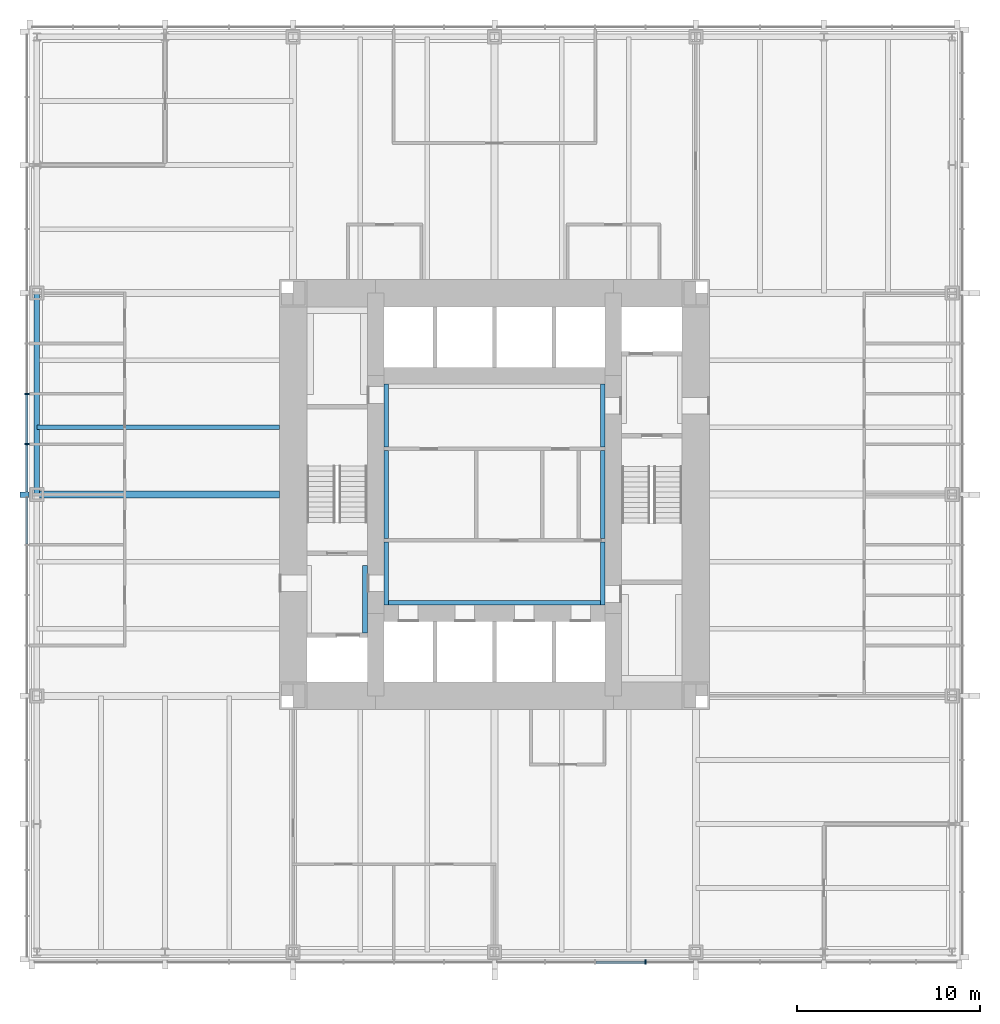
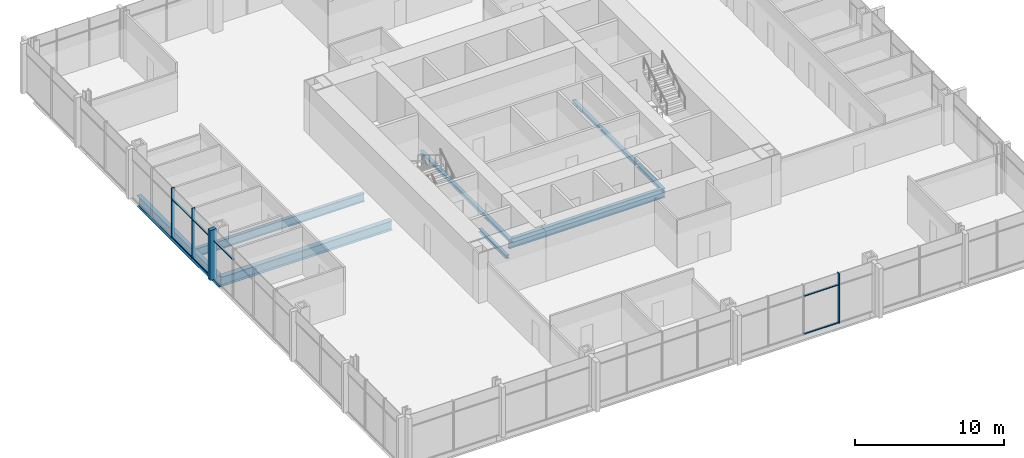
# One storey, part 3 of 13: 11 beams, 11 members, 2 elements without a shape of their own.
"""IFC4 building model written with IfcOpenShell, lengths in metres."""

from ifc_helpers import new_model, si_unit, direction, frame, origin, origin_2d, place, context, subcontext, project, spatial, rectangle, i_section, extrude, material, material_profile, profile_set, type_object, element, aggregate, save


model = new_model("IFC4")

# Units and contexts
model_context = context("Model", 3, precision=1e-05, world=origin(), true_north=direction((0.0, 1.0)))
body_context = subcontext(model_context, "Body", "Model", "MODEL_VIEW")
ifc_project = project(units=[si_unit("LENGTHUNIT", "METRE"), si_unit("AREAUNIT", "SQUARE_METRE"), si_unit("VOLUMEUNIT", "CUBIC_METRE"), si_unit("PLANEANGLEUNIT", "RADIAN"), si_unit("MASSUNIT", "GRAM", prefix="KILO")], contexts=[model_context])

# Site, building, storey
site_placement = place(None, origin())
site = spatial("IfcSite", under=ifc_project, at=site_placement, CompositionType="ELEMENT")
building_placement = place(site_placement, origin())
building = spatial("IfcBuilding", under=site, at=building_placement, Name="Trevanion Tower", CompositionType="ELEMENT")
storey_placement = place(building_placement, frame((0.0, 0.0, 81.60009765625)))
storey = spatial("IfcBuildingStorey", under=building, at=storey_placement, Name="L19", CompositionType="ELEMENT", Elevation=81.60009765625)

# Beam
ifc_material_1 = material(Name="Steel ASTM A992 Grade 50", Category="steel")
ifc_material_profile_1 = material_profile(ifc_material_1, i_section(OverallWidth=0.25390625, OverallDepth=0.700927734375, WebThickness=0.015380859375, FlangeThickness=0.02783203125, at=origin_2d()), Name="W27X129")
ifc_profile_set_1 = profile_set([ifc_material_profile_1], Name="Steel ASTM A992 Grade 50")
beam_type_1 = type_object("IfcBeamType", Name="B3 W27X129", PredefinedType="BEAM", material=ifc_profile_set_1)
beam_1_placement = place(storey_placement, frame((-11.75, 3.666748046875, -0.54052734375), z_axis=(-1.0, 0.0, 0.0), x_axis=(0.0, -1.0, 0.0)))
element("IfcBeam", 1, at=beam_1_placement, inside=storey, type_object=beam_type_1, Name="B3 L19", PredefinedType="BEAM", context=body_context, shape_type="SweptSolid", body=[
    extrude(i_section(OverallWidth=0.25390625, OverallDepth=0.700927734375, WebThickness=0.015380859375, FlangeThickness=0.02783203125, at=origin_2d()), origin(), (0.0, 0.0, 1.0), 13.25),
])

# Curtain wall, members
ifc_material_2 = material(Name="Aluminium and glass", Category="aluminium")
curtain_wall_type = type_object("IfcCurtainWallType", Name="CW1 curtain wall", PredefinedType="USERDEFINED", material=ifc_material_2)
curtain_wall_1_placement = place(storey_placement, origin())
curtain_wall_1 = element("IfcCurtainWall", 2, at=curtain_wall_1_placement, inside=storey, type_object=curtain_wall_type, Name="CW1 L19 2", ObjectType="UNITISED CURTAIN WALL", PredefinedType="USERDEFINED")
ifc_material_3 = material(Name="Aluminium extrusion, anodised bronze", Category="aluminium")
ifc_material_profile_2 = material_profile(ifc_material_3, rectangle(XDim=0.074951171875, YDim=0.25, at=origin_2d()), Name="CW1 mullion")
ifc_profile_set_2 = profile_set([ifc_material_profile_2], Name="Aluminium extrusion, anodised bronze")
member_type_1 = type_object("IfcMemberType", Name="CW1 mullion", PredefinedType="MULLION", material=ifc_profile_set_2)
member_1_placement = place(storey_placement, frame((-25.550048828125, 5.5, -0.190185546875), z_axis=(0.0, 0.0, 1.0), x_axis=(0.0, -1.0, 0.0)))
member_1 = element("IfcMember", 3, at=member_1_placement, type_object=member_type_1, Name="CW1 mullion 7", PredefinedType="MULLION", context=body_context, shape_type="SweptSolid", body=[
    extrude(rectangle(XDim=0.074951171875, YDim=0.25, at=origin_2d()), origin(), (0.0, 0.0, 1.0), 4.10009765625),
])
member_2_placement = place(storey_placement, frame((-25.550048828125, 2.75, -0.190185546875), z_axis=(0.0, 0.0, 1.0), x_axis=(0.0, -1.0, 0.0)))
member_2 = element("IfcMember", 4, at=member_2_placement, type_object=member_type_1, Name="CW1 mullion 8", PredefinedType="MULLION", context=body_context, shape_type="SweptSolid", body=[
    extrude(rectangle(XDim=0.074951171875, YDim=0.25, at=origin_2d()), origin(), (0.0, 0.0, 1.0), 4.10009765625),
])

# Curtain wall, member
curtain_wall_2_placement = place(storey_placement, origin())
curtain_wall_2 = element("IfcCurtainWall", 5, at=curtain_wall_2_placement, inside=storey, type_object=curtain_wall_type, Name="CW1 L19 3", ObjectType="UNITISED CURTAIN WALL", PredefinedType="USERDEFINED")
member_3_placement = place(storey_placement, frame((8.25, -25.550048828125, -0.190185546875), z_axis=(0.0, 0.0, 1.0), x_axis=(1.0, 0.0, 0.0)))
member_3 = element("IfcMember", 6, at=member_3_placement, type_object=member_type_1, Name="CW1 mullion 12", PredefinedType="MULLION", context=body_context, shape_type="SweptSolid", body=[
    extrude(rectangle(XDim=0.074951171875, YDim=0.25, at=origin_2d()), origin(), (0.0, 0.0, 1.0), 4.10009765625),
])

# Member
ifc_material_4 = material(Name="Aluminium extrusion, anodised bronze", Category="aluminium")
ifc_material_profile_3 = material_profile(ifc_material_4, rectangle(XDim=0.300048828125, YDim=0.5, at=origin_2d()), Name="CW1 pier mullion")
ifc_profile_set_3 = profile_set([ifc_material_profile_3], Name="Aluminium extrusion, anodised bronze")
member_type_2 = type_object("IfcMemberType", Name="CW1 pier mullion", PredefinedType="MULLION", material=ifc_profile_set_3)
member_4_placement = place(storey_placement, frame((-25.675048828125, 0.0, -0.190185546875), z_axis=(0.0, 0.0, 1.0), x_axis=(0.0, -1.0, 0.0)))
member_4 = element("IfcMember", 7, at=member_4_placement, type_object=member_type_2, Name="CW1 pier mullion 9", PredefinedType="MULLION", context=body_context, shape_type="SweptSolid", body=[
    extrude(rectangle(XDim=0.300048828125, YDim=0.5, at=origin_2d()), origin(), (0.0, 0.0, 1.0), 4.10009765625),
])

ifc_material_5 = material(Name="Aluminium extrusion, anodised bronze", Category="aluminium")
ifc_material_profile_4 = material_profile(ifc_material_5, rectangle(XDim=0.14990234375, YDim=0.074951171875, at=origin_2d()), Name="CW1 transom")
ifc_profile_set_4 = profile_set([ifc_material_profile_4], Name="Aluminium extrusion, anodised bronze")
member_type_3 = type_object("IfcMemberType", Name="CW1 transom", PredefinedType="USERDEFINED", material=ifc_profile_set_4)
member_5_placement = place(storey_placement, frame((-25.550048828125, 5.46240234375, -0.152587890625), z_axis=(0.0, -1.0, 0.0), x_axis=(1.0, 0.0, 0.0)))
member_5 = element("IfcMember", 8, at=member_5_placement, type_object=member_type_3, Name="CW1 transom 7.1", ObjectType="TRANSOM", PredefinedType="USERDEFINED", context=body_context, shape_type="SweptSolid", body=[
    extrude(rectangle(XDim=0.14990234375, YDim=0.074951171875, at=origin_2d()), origin(), (0.0, 0.0, 1.0), 2.6748046875),
])

member_6_placement = place(storey_placement, frame((-25.550048828125, 5.46240234375, 2.9599609375), z_axis=(0.0, -1.0, 0.0), x_axis=(1.0, 0.0, 0.0)))
member_6 = element("IfcMember", 9, at=member_6_placement, type_object=member_type_3, Name="CW1 transom 7.2", ObjectType="TRANSOM", PredefinedType="USERDEFINED", context=body_context, shape_type="SweptSolid", body=[
    extrude(rectangle(XDim=0.14990234375, YDim=0.074951171875, at=origin_2d()), origin(), (0.0, 0.0, 1.0), 2.6748046875),
])

member_7_placement = place(storey_placement, frame((-25.550048828125, 2.71240234375, -0.152587890625), z_axis=(0.0, -1.0, 0.0), x_axis=(1.0, 0.0, 0.0)))
member_7 = element("IfcMember", 10, at=member_7_placement, type_object=member_type_3, Name="CW1 transom 8.1", ObjectType="TRANSOM", PredefinedType="USERDEFINED", context=body_context, shape_type="SweptSolid", body=[
    extrude(rectangle(XDim=0.14990234375, YDim=0.074951171875, at=origin_2d()), origin(), (0.0, 0.0, 1.0), 2.5625),
])

member_8_placement = place(storey_placement, frame((-25.550048828125, 2.71240234375, 2.9599609375), z_axis=(0.0, -1.0, 0.0), x_axis=(1.0, 0.0, 0.0)))
member_8 = element("IfcMember", 11, at=member_8_placement, type_object=member_type_3, Name="CW1 transom 8.2", ObjectType="TRANSOM", PredefinedType="USERDEFINED", context=body_context, shape_type="SweptSolid", body=[
    extrude(rectangle(XDim=0.14990234375, YDim=0.074951171875, at=origin_2d()), origin(), (0.0, 0.0, 1.0), 2.5625),
])

member_9_placement = place(storey_placement, frame((-25.550048828125, -0.14990234375, 2.9599609375), z_axis=(0.0, -1.0, 0.0), x_axis=(1.0, 0.0, 0.0)))
member_9 = element("IfcMember", 12, at=member_9_placement, type_object=member_type_3, Name="CW1 transom 9.2", ObjectType="TRANSOM", PredefinedType="USERDEFINED", context=body_context, shape_type="SweptSolid", body=[
    extrude(rectangle(XDim=0.14990234375, YDim=0.074951171875, at=origin_2d()), origin(), (0.0, 0.0, 1.0), 2.5625),
])

aggregate(curtain_wall_1, [member_1, member_2, member_4, member_5, member_6, member_7, member_8, member_9])

member_10_placement = place(storey_placement, frame((5.53759765625, -25.550048828125, -0.152587890625), z_axis=(1.0, 0.0, 0.0), x_axis=(0.0, 1.0, 0.0)))
member_10 = element("IfcMember", 13, at=member_10_placement, type_object=member_type_3, Name="CW1 transom 11.1", ObjectType="TRANSOM", PredefinedType="USERDEFINED", context=body_context, shape_type="SweptSolid", body=[
    extrude(rectangle(XDim=0.14990234375, YDim=0.074951171875, at=origin_2d()), origin(), (0.0, 0.0, 1.0), 2.6748046875),
])

member_11_placement = place(storey_placement, frame((5.53759765625, -25.550048828125, 2.9599609375), z_axis=(1.0, 0.0, 0.0), x_axis=(0.0, 1.0, 0.0)))
member_11 = element("IfcMember", 14, at=member_11_placement, type_object=member_type_3, Name="CW1 transom 11.2", ObjectType="TRANSOM", PredefinedType="USERDEFINED", context=body_context, shape_type="SweptSolid", body=[
    extrude(rectangle(XDim=0.14990234375, YDim=0.074951171875, at=origin_2d()), origin(), (0.0, 0.0, 1.0), 2.6748046875),
])

aggregate(curtain_wall_2, [member_3, member_10, member_11])

# Beams
ifc_material_6 = material(Name="Steel ASTM A992 Grade 50", Category="steel")
ifc_material_profile_5 = material_profile(ifc_material_6, i_section(OverallWidth=0.381103515625, OverallDepth=0.77978515625, WebThickness=0.01806640625, FlangeThickness=0.0302734375, at=origin_2d()), Name="W30X191")
ifc_profile_set_5 = profile_set([ifc_material_profile_5], Name="Steel ASTM A992 Grade 50")
beam_type_2 = type_object("IfcBeamType", Name="G2 W30X191", PredefinedType="BEAM", material=ifc_profile_set_5)
beam_2_placement = place(storey_placement, frame((-11.75, 0.0, -0.580078125), z_axis=(-1.0, 0.0, 0.0), x_axis=(0.0, -1.0, 0.0)))
element("IfcBeam", 15, at=beam_2_placement, inside=storey, type_object=beam_type_2, Name="G2 L19", PredefinedType="BEAM", context=body_context, shape_type="SweptSolid", body=[
    extrude(i_section(OverallWidth=0.381103515625, OverallDepth=0.77978515625, WebThickness=0.01806640625, FlangeThickness=0.0302734375, at=origin_2d()), origin(), (0.0, 0.0, 1.0), 13.25),
])
ifc_material_7 = material(Name="Steel ASTM A992 Grade 50", Category="steel")
ifc_material_profile_6 = material_profile(ifc_material_7, i_section(OverallWidth=0.256591796875, OverallDepth=0.26416015625, WebThickness=0.011962890625, FlangeThickness=0.01953125, at=origin_2d()), Name="W10X68")
ifc_profile_set_6 = profile_set([ifc_material_profile_6], Name="Steel ASTM A992 Grade 50")
beam_type_3 = type_object("IfcBeamType", Name="LB1 W10X68", PredefinedType="BEAM", material=ifc_profile_set_6)
for number, where, z_axis, x_axis, name in (
    (16, (-5.921630859375, 2.60009765625, -0.332275390625), (0.0, 1.0, 0.0), (-1.0, 0.0, 0.0), "LB1 L19"),
    (17, (5.921630859375, 2.60009765625, -0.332275390625), (0.0, 1.0, 0.0), (-1.0, 0.0, 0.0), "LB1 L19"),
    (18, (-5.921630859375, -6.050048828125, -0.332275390625), (0.0, 1.0, 0.0), (-1.0, 0.0, 0.0), "LB1 L19"),
    (19, (5.921630859375, -6.050048828125, -0.332275390625), (0.0, 1.0, 0.0), (-1.0, 0.0, 0.0), "LB1 L19"),
):
    element("IfcBeam", number, at=place(storey_placement, frame(where, z_axis=z_axis, x_axis=x_axis)), inside=storey, type_object=beam_type_3, Name=name, PredefinedType="BEAM", context=body_context, shape_type="SweptSolid", body=[
        extrude(i_section(OverallWidth=0.256591796875, OverallDepth=0.26416015625, WebThickness=0.011962890625, FlangeThickness=0.01953125, at=origin_2d()), origin(), (0.0, 0.0, 1.0), 3.449951171875),
    ])
beam_3_placement = place(storey_placement, frame((-7.078369140625, -7.574951171875, -0.332275390625), z_axis=(0.0, 1.0, 0.0), x_axis=(-1.0, 0.0, 0.0)))
element("IfcBeam", 20, at=beam_3_placement, inside=storey, type_object=beam_type_3, Name="LB1 L19", PredefinedType="BEAM", context=body_context, shape_type="SweptSolid", body=[
    extrude(i_section(OverallWidth=0.256591796875, OverallDepth=0.26416015625, WebThickness=0.011962890625, FlangeThickness=0.01953125, at=origin_2d()), origin(), (0.0, 0.0, 1.0), 3.699951171875),
])
for number, where, z_axis, x_axis, name in (
    (21, (-5.921630859375, -2.39990234375, -0.332275390625), (0.0, 1.0, 0.0), (-1.0, 0.0, 0.0), "LB1 L19"),
    (22, (5.921630859375, -2.39990234375, -0.332275390625), (0.0, 1.0, 0.0), (-1.0, 0.0, 0.0), "LB1 L19"),
):
    element("IfcBeam", number, at=place(storey_placement, frame(where, z_axis=z_axis, x_axis=x_axis)), inside=storey, type_object=beam_type_3, Name=name, PredefinedType="BEAM", context=body_context, shape_type="SweptSolid", body=[
        extrude(i_section(OverallWidth=0.256591796875, OverallDepth=0.26416015625, WebThickness=0.011962890625, FlangeThickness=0.01953125, at=origin_2d()), origin(), (0.0, 0.0, 1.0), 4.7998046875),
    ])
ifc_material_8 = material(Name="Steel ASTM A992 Grade 50", Category="steel")
ifc_material_profile_7 = material_profile(ifc_material_8, i_section(OverallWidth=0.2666015625, OverallDepth=0.76953125, WebThickness=0.015625, FlangeThickness=0.025390625, at=origin_2d()), Name="W30X132")
ifc_profile_set_7 = profile_set([ifc_material_profile_7], Name="Steel ASTM A992 Grade 50")
beam_type_4 = type_object("IfcBeamType", Name="LB3 W30X132", PredefinedType="BEAM", material=ifc_profile_set_7)
beam_4_placement = place(storey_placement, frame((-6.050048828125, -5.91650390625, -0.5849609375), z_axis=(1.0, 0.0, 0.0), x_axis=(0.0, 1.0, 0.0)))
element("IfcBeam", 23, at=beam_4_placement, inside=storey, type_object=beam_type_4, Name="LB3 L19", PredefinedType="BEAM", context=body_context, shape_type="SweptSolid", body=[
    extrude(i_section(OverallWidth=0.2666015625, OverallDepth=0.76953125, WebThickness=0.015625, FlangeThickness=0.025390625, at=origin_2d()), origin(), (0.0, 0.0, 1.0), 12.10009765625),
])
ifc_material_9 = material(Name="Steel ASTM A992 Grade 50", Category="steel")
ifc_material_profile_8 = material_profile(ifc_material_9, i_section(OverallWidth=0.307373046875, OverallDepth=0.927001953125, WebThickness=0.01953125, FlangeThickness=0.031982421875, at=origin_2d()), Name="W36X194")
ifc_profile_set_8 = profile_set([ifc_material_profile_8], Name="Steel ASTM A992 Grade 50")
beam_type_5 = type_object("IfcBeamType", Name="SB2 W36X194", PredefinedType="SPANDREL", material=ifc_profile_set_8)
beam_5_placement = place(storey_placement, frame((-25.0, 11.0, -0.65380859375), z_axis=(0.0, -1.0, 0.0), x_axis=(1.0, 0.0, 0.0)))
element("IfcBeam", 24, at=beam_5_placement, inside=storey, type_object=beam_type_5, Name="SB2 L19", PredefinedType="SPANDREL", context=body_context, shape_type="SweptSolid", body=[
    extrude(i_section(OverallWidth=0.307373046875, OverallDepth=0.927001953125, WebThickness=0.01953125, FlangeThickness=0.031982421875, at=origin_2d()), origin(), (0.0, 0.0, 1.0), 11.0),
])

save(model, "model.ifc")
